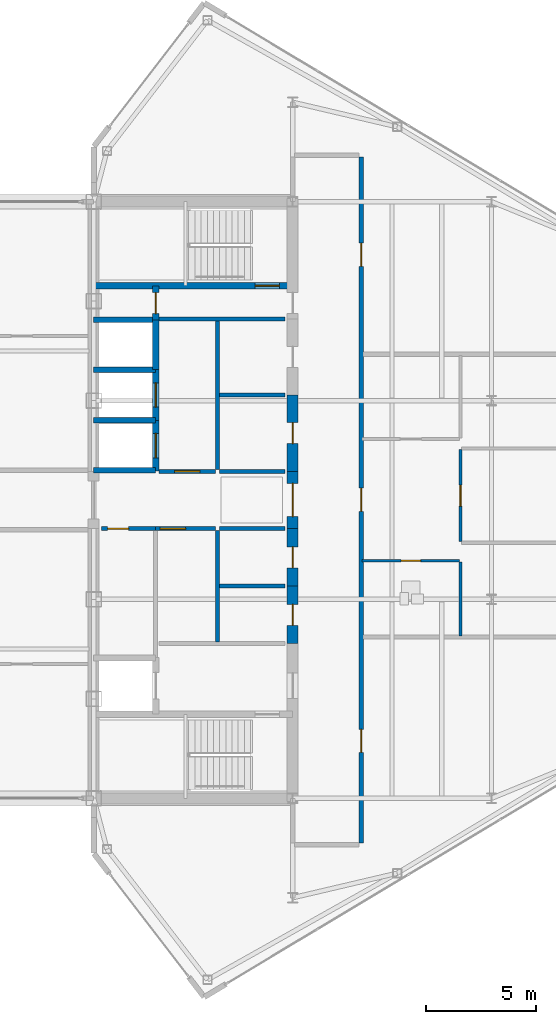
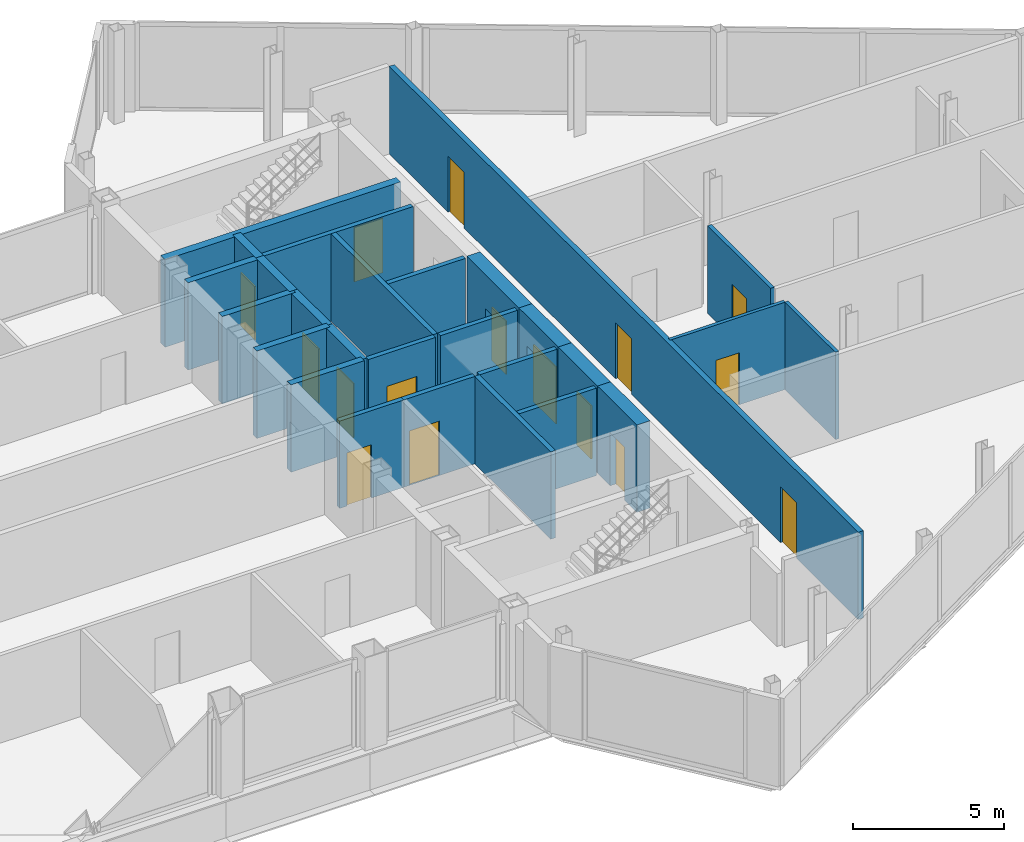
# One storey, part 25 of 29: 27 walls, 16 doors, 16 openings.
"""IFC4 building model written with IfcOpenShell, lengths in metres."""

from ifc_helpers import new_model, si_unit, direction, frame, frame_2d, origin, place, context, subcontext, project, spatial, rectangle, extrude, source, transform, mapped, material, layer, layer_set, type_object, type_shapes, element, fill, save


model = new_model("IFC4")

# Units and contexts
model_context = context("Model", 3, precision=1e-05, world=origin(), true_north=direction((0.0, 1.0)))
body_context = subcontext(model_context, "Body", "Model", "MODEL_VIEW")
ifc_project = project(units=[si_unit("LENGTHUNIT", "METRE"), si_unit("AREAUNIT", "SQUARE_METRE"), si_unit("VOLUMEUNIT", "CUBIC_METRE"), si_unit("PLANEANGLEUNIT", "RADIAN"), si_unit("MASSUNIT", "GRAM", prefix="KILO")], contexts=[model_context])

# Site, building, storey
site_placement = place(None, origin())
site = spatial("IfcSite", under=ifc_project, at=site_placement, CompositionType="ELEMENT")
building_placement = place(site_placement, origin())
building = spatial("IfcBuilding", under=site, at=building_placement, Name="Seokmaru Belvedere", CompositionType="ELEMENT")
storey_placement = place(building_placement, frame((0.0, 0.0, 239.39990234375)))
storey = spatial("IfcBuildingStorey", under=building, at=storey_placement, Name="L63", CompositionType="ELEMENT", Elevation=239.39990234375)

# Wall, opening, door
ifc_material_1 = material(Name="Fire-Rated Gypsum Shaftwall")
ifc_layer_1 = layer(ifc_material_1, 0.14990234375)
ifc_layer_set_1 = layer_set([ifc_layer_1], Name="Fire-Rated Gypsum Shaftwall")
wall_type_1 = type_object("IfcWallType", Name="Apartment Fire-Acoustic Room Partition 150", PredefinedType="PARTITIONING", material=ifc_layer_set_1)
wall_1_placement = place(storey_placement, frame((44.10009765625, -1.883056640625, 0.0), z_axis=(0.0, 0.0, 1.0), x_axis=(0.0, 1.0, 0.0)))
wall_1 = element("IfcWall", 1, at=wall_1_placement, inside=storey, type_object=wall_type_1, Name="L63 Interior Partition 052", PredefinedType="PARTITIONING", context=body_context, shape_type="SweptSolid", body=[
    extrude(rectangle(XDim=4.166015625, YDim=0.14990234375, at=frame_2d((2.0830078125, 0.0))), origin(), (0.0, 0.0, 1.0), 3.530029296875),
])
opening_1_placement = place(wall_1_placement, frame((1.60791015625, 0.0, 0.0)))
opening_1 = element("IfcOpeningElement", 2, at=opening_1_placement, cuts=wall_1, Name="Opening D05", PredefinedType="OPENING", context=body_context, shape_type="SweptSolid", body=[
    extrude(rectangle(XDim=0.949951171875, YDim=2.14990234375, at=frame_2d((0.47509765625, 1.074951171875))), frame((0.0, 0.0849609375, 0.0), z_axis=(0.0, -1.0, 0.0), x_axis=(1.0, 0.0, 0.0)), (0.0, 0.0, 1.0), 0.169921875),
])
ifc_material_2 = material(Name="Engineered White Oak Timber", Category="wood")
door_type_1 = type_object("IfcDoorType", Name="Apartment Interior Fire-Rated Oak Door 950x2150", OperationType="NOTDEFINED", PredefinedType="DOOR", material=ifc_material_2)
shared_shape_1 = source(origin(), body_context, "Body", "SweptSolid", [
    extrude(rectangle(XDim=0.949951171875, YDim=2.14990234375, at=frame_2d((0.47509765625, 1.074951171875))), frame((0.0, 0.02490234375, 0.0), z_axis=(0.0, -1.0, 0.0), x_axis=(1.0, 0.0, 0.0)), (0.0, 0.0, 1.0), 0.050048828125),
])
type_shapes(door_type_1, [shared_shape_1])
door_1_placement = place(opening_1_placement, origin())
door_1 = element("IfcDoor", 3, at=door_1_placement, inside=storey, type_object=door_type_1, Name="L63 Interior Door 016", OperationType="SINGLE_SWING_LEFT", OverallHeight=2.14990234375, OverallWidth=0.949951171875, PredefinedType="DOOR", context=body_context, shape_type="MappedRepresentation", body=[
    mapped(shared_shape_1, transform((0.0, 0.0, 0.0), scale=1.0)),
])
fill(opening_1, door_1)

# Walls
ifc_layer_2 = layer(ifc_material_1, 0.179931640625)
ifc_layer_set_2 = layer_set([ifc_layer_2], Name="Fire-Rated Gypsum Shaftwall")
wall_type_2 = type_object("IfcWallType", Name="Core Service Fire Partition 180", PredefinedType="PARTITIONING", material=ifc_layer_set_2)
wall_2_placement = place(storey_placement, frame((30.449951171875, 8.199951171875, 0.0), z_axis=(0.0, 0.0, 1.0), x_axis=(1.0, 0.0, 0.0)))
element("IfcWall", 4, at=wall_2_placement, inside=storey, type_object=wall_type_2, Name="L63 East Smokeproof Vestibule Partition", PredefinedType="PARTITIONING", context=body_context, shape_type="SweptSolid", body=[
    extrude(rectangle(XDim=5.699951171875, YDim=0.179931640625, at=frame_2d((2.85009765625, 0.0))), origin(), (0.0, 0.0, 1.0), 3.530029296875),
])
wall_3_placement = place(storey_placement, frame((33.10009765625, -6.419921875, 0.0), z_axis=(0.0, 0.0, 1.0), x_axis=(0.0, 1.0, 0.0)))
element("IfcWall", 5, at=wall_3_placement, inside=storey, type_object=wall_type_2, Name="L63 East South Core Service Back Wall", PredefinedType="PARTITIONING", context=body_context, shape_type="SweptSolid", body=[
    extrude(rectangle(XDim=5.0400390625, YDim=0.179931640625, at=frame_2d((2.52001953125, 0.0))), origin(), (0.0, 0.0, 1.0), 3.530029296875),
])
wall_4_placement = place(storey_placement, frame((33.10009765625, 1.3798828125, 0.0), z_axis=(0.0, 0.0, 1.0), x_axis=(0.0, 1.0, 0.0)))
element("IfcWall", 6, at=wall_4_placement, inside=storey, type_object=wall_type_2, Name="L63 East North Core Service Back Wall", PredefinedType="PARTITIONING", context=body_context, shape_type="SweptSolid", body=[
    extrude(rectangle(XDim=6.740234375, YDim=0.179931640625, at=frame_2d((3.3701171875, 0.0))), origin(), (0.0, 0.0, 1.0), 3.530029296875),
])

# Wall, opening, door
wall_5_placement = place(storey_placement, frame((27.85009765625, -1.300048828125, 0.0), z_axis=(0.0, 0.0, 1.0), x_axis=(1.0, 0.0, 0.0)))
wall_5 = element("IfcWall", 7, at=wall_5_placement, inside=storey, type_object=wall_type_2, Name="L63 East South Parcel Vault Foyer Wall", PredefinedType="PARTITIONING", context=body_context, shape_type="SweptSolid", body=[
    extrude(rectangle(XDim=2.449951171875, YDim=0.179931640625, at=frame_2d((1.22509765625, 0.0))), origin(), (0.0, 0.0, 1.0), 3.530029296875),
])
opening_2_placement = place(wall_5_placement, frame((0.27490234375, 0.0, 0.0)))
opening_2 = element("IfcOpeningElement", 8, at=opening_2_placement, cuts=wall_5, Name="Opening D04", PredefinedType="OPENING", context=body_context, shape_type="SweptSolid", body=[
    extrude(rectangle(XDim=0.949951171875, YDim=2.14990234375, at=frame_2d((0.47509765625, 1.074951171875))), frame((0.0, 0.10009765625, 0.0), z_axis=(0.0, -1.0, 0.0), x_axis=(1.0, 0.0, 0.0)), (0.0, 0.0, 1.0), 0.199951171875),
])
ifc_material_3 = material(Name="Fire-Rated Steel Leaf", Category="steel")
door_type_2 = type_object("IfcDoorType", Name="Core Service Room Fire Door 950x2150", OperationType="NOTDEFINED", PredefinedType="DOOR", material=ifc_material_3)
shared_shape_2 = source(origin(), body_context, "Body", "SweptSolid", [
    extrude(rectangle(XDim=0.949951171875, YDim=2.14990234375, at=frame_2d((0.47509765625, 1.074951171875))), frame((0.0, 0.02490234375, 0.0), z_axis=(0.0, -1.0, 0.0), x_axis=(1.0, 0.0, 0.0)), (0.0, 0.0, 1.0), 0.050048828125),
])
type_shapes(door_type_2, [shared_shape_2])
door_2_placement = place(opening_2_placement, origin())
door_2 = element("IfcDoor", 9, at=door_2_placement, inside=storey, type_object=door_type_2, Name="L63 East South Parcel Vault Door", OperationType="SINGLE_SWING_RIGHT", OverallHeight=2.14990234375, OverallWidth=0.949951171875, PredefinedType="DOOR", context=body_context, shape_type="MappedRepresentation", body=[
    mapped(shared_shape_2, transform((0.0, 0.0, 0.0), scale=1.0)),
])
fill(opening_2, door_2)

wall_6_placement = place(storey_placement, frame((30.300048828125, -1.300048828125, 0.0), z_axis=(0.0, 0.0, 1.0), x_axis=(1.0, 0.0, 0.0)))
wall_6 = element("IfcWall", 10, at=wall_6_placement, inside=storey, type_object=wall_type_2, Name="L63 East South Wine Cellar Foyer Wall", PredefinedType="PARTITIONING", context=body_context, shape_type="SweptSolid", body=[
    extrude(rectangle(XDim=2.719970703125, YDim=0.179931640625, at=frame_2d((1.35986328125, 0.0))), origin(), (0.0, 0.0, 1.0), 3.530029296875),
])
opening_3_placement = place(wall_6_placement, frame((0.2099609375, 0.0, 0.0)))
opening_3 = element("IfcOpeningElement", 11, at=opening_3_placement, cuts=wall_6, Name="Opening D02", PredefinedType="OPENING", context=body_context, shape_type="SweptSolid", body=[
    extrude(rectangle(XDim=1.14990234375, YDim=2.199951171875, at=frame_2d((0.574951171875, 1.10009765625))), frame((0.0, 0.10009765625, 0.0), z_axis=(0.0, -1.0, 0.0), x_axis=(1.0, 0.0, 0.0)), (0.0, 0.0, 1.0), 0.199951171875),
])
door_type_3 = type_object("IfcDoorType", Name="Lobby and Vestibule Fire Door 1150x2200", OperationType="NOTDEFINED", PredefinedType="DOOR", material=ifc_material_3)
shared_shape_3 = source(origin(), body_context, "Body", "SweptSolid", [
    extrude(rectangle(XDim=1.14990234375, YDim=2.199951171875, at=frame_2d((0.574951171875, 1.10009765625))), frame((0.0, 0.02490234375, 0.0), z_axis=(0.0, -1.0, 0.0), x_axis=(1.0, 0.0, 0.0)), (0.0, 0.0, 1.0), 0.050048828125),
])
type_shapes(door_type_3, [shared_shape_3])
door_3_placement = place(opening_3_placement, origin())
door_3 = element("IfcDoor", 12, at=door_3_placement, inside=storey, type_object=door_type_3, Name="L63 East South Core Foyer Door", OperationType="SINGLE_SWING_RIGHT", OverallHeight=2.199951171875, OverallWidth=1.14990234375, PredefinedType="DOOR", context=body_context, shape_type="MappedRepresentation", body=[
    mapped(shared_shape_3, transform((0.0, 0.0, 0.0), scale=1.0)),
])
fill(opening_3, door_3)

wall_7_placement = place(storey_placement, frame((30.449951171875, 1.300048828125, 0.0), z_axis=(0.0, 0.0, 1.0), x_axis=(1.0, 0.0, 0.0)))
wall_7 = element("IfcWall", 13, at=wall_7_placement, inside=storey, type_object=wall_type_2, Name="L63 East North Lift Lobby Foyer Wall", PredefinedType="PARTITIONING", context=body_context, shape_type="SweptSolid", body=[
    extrude(rectangle(XDim=2.570068359375, YDim=0.179931640625, at=frame_2d((1.28515625, 0.0))), origin(), (0.0, 0.0, 1.0), 3.530029296875),
])
opening_4_placement = place(wall_7_placement, frame((0.7099609375, 0.0, 0.0)))
opening_4 = element("IfcOpeningElement", 14, at=opening_4_placement, cuts=wall_7, Name="Opening D02", PredefinedType="OPENING", context=body_context, shape_type="SweptSolid", body=[
    extrude(rectangle(XDim=1.14990234375, YDim=2.199951171875, at=frame_2d((0.574951171875, 1.10009765625))), frame((0.0, 0.10009765625, 0.0), z_axis=(0.0, -1.0, 0.0), x_axis=(1.0, 0.0, 0.0)), (0.0, 0.0, 1.0), 0.199951171875),
])
door_4_placement = place(opening_4_placement, origin())
door_4 = element("IfcDoor", 15, at=door_4_placement, inside=storey, type_object=door_type_3, Name="L63 East North Lift Lobby Door", OperationType="SINGLE_SWING_LEFT", OverallHeight=2.199951171875, OverallWidth=1.14990234375, PredefinedType="DOOR", context=body_context, shape_type="MappedRepresentation", body=[
    mapped(shared_shape_3, transform((0.0, 0.0, 0.0), scale=1.0)),
])
fill(opening_4, door_4)

# Walls
for number, where, z_axis, x_axis, name in (
    (16, (33.199951171875, -1.300048828125, 0.0), (0.0, 0.0, 1.0), (1.0, 0.0, 0.0), "L63 East Foyer Side Wall S"),
    (17, (33.199951171875, 1.300048828125, 0.0), (0.0, 0.0, 1.0), (1.0, 0.0, 0.0), "L63 East Foyer Side Wall N"),
    (18, (33.199951171875, -3.89990234375, 0.0), (0.0, 0.0, 1.0), (1.0, 0.0, 0.0), "L63 East Core Service Partition 1"),
    (19, (33.199951171875, 4.75, 0.0), (0.0, 0.0, 1.0), (1.0, 0.0, 0.0), "L63 East Core Service Partition 2"),
):
    element("IfcWall", number, at=place(storey_placement, frame(where, z_axis=z_axis, x_axis=x_axis)), inside=storey, type_object=wall_type_2, Name=name, PredefinedType="PARTITIONING", context=body_context, shape_type="SweptSolid", body=[
        extrude(rectangle(XDim=2.949951171875, YDim=0.179931640625, at=frame_2d((1.47509765625, 0.0))), origin(), (0.0, 0.0, 1.0), 3.530029296875),
    ])
ifc_material_4 = material(Name="Concrete C50 (50 MPa)", Category="concrete")
ifc_layer_3 = layer(ifc_material_4, 0.25)
ifc_layer_set_3 = layer_set([ifc_layer_3], Name="Concrete C50 (50 MPa)")
wall_type_3 = type_object("IfcWallType", Name="Hoistway Transverse Concrete Divider Wall 250", PredefinedType="SHEAR", material=ifc_layer_set_3)
for number, where, z_axis, x_axis, name in (
    (20, (27.5, 1.35009765625, 0.0), (0.0, 0.0, 1.0), (1.0, 0.0, 0.0), "L63 East Hoistway Divider Core Wall 2"),
    (21, (27.5, 3.60009765625, 0.0), (0.0, 0.0, 1.0), (1.0, 0.0, 0.0), "L63 East Hoistway Divider Core Wall 3"),
    (22, (27.5, 5.89990234375, 0.0), (0.0, 0.0, 1.0), (1.0, 0.0, 0.0), "L63 East Hoistway Divider Core Wall 4"),
    (23, (27.5, 8.14990234375, 0.0), (0.0, 0.0, 1.0), (1.0, 0.0, 0.0), "L63 East Hoistway Divider Core Wall 5"),
):
    element("IfcWall", number, at=place(storey_placement, frame(where, z_axis=z_axis, x_axis=x_axis)), inside=storey, type_object=wall_type_3, Name=name, PredefinedType="SHEAR", context=body_context, shape_type="SweptSolid", body=[
        extrude(rectangle(XDim=2.800048828125, YDim=0.25, at=frame_2d((1.39990234375, 0.0))), origin(), (0.0, 0.0, 1.0), 3.530029296875),
    ])

# Wall, openings, doors
ifc_layer_4 = layer(ifc_material_1, 0.199951171875)
ifc_layer_set_4 = layer_set([ifc_layer_4], Name="Fire-Rated Gypsum Shaftwall")
wall_type_4 = type_object("IfcWallType", Name="Inter-Tenancy Fire Compartment Partition 200", PredefinedType="PARTITIONING", material=ifc_layer_set_4)
wall_8_placement = place(storey_placement, frame((39.60009765625, -15.514892578125, 0.0), z_axis=(0.0, 0.0, 1.0), x_axis=(0.0, 1.0, 0.0)))
wall_8 = element("IfcWall", 24, at=wall_8_placement, inside=storey, type_object=wall_type_4, Name="L63 Interior Partition 050", PredefinedType="PARTITIONING", context=body_context, shape_type="SweptSolid", body=[
    extrude(rectangle(XDim=31.02978515625, YDim=0.199951171875, at=frame_2d((15.514892578125, 0.0))), origin(), (0.0, 0.0, 1.0), 3.530029296875),
])
opening_5_placement = place(wall_8_placement, frame((4.090087890625, 0.0, 0.0)))
opening_5 = element("IfcOpeningElement", 25, at=opening_5_placement, cuts=wall_8, Name="Opening D03", PredefinedType="OPENING", context=body_context, shape_type="SweptSolid", body=[
    extrude(rectangle(XDim=1.050048828125, YDim=2.25, at=frame_2d((0.52490234375, 1.125))), frame((0.0, 0.10986328125, 0.0), z_axis=(0.0, -1.0, 0.0), x_axis=(1.0, 0.0, 0.0)), (0.0, 0.0, 1.0), 0.219970703125),
])
opening_6_placement = place(wall_8_placement, frame((14.998046875, 0.0, 0.0)))
opening_6 = element("IfcOpeningElement", 26, at=opening_6_placement, cuts=wall_8, Name="Opening D03", PredefinedType="OPENING", context=body_context, shape_type="SweptSolid", body=[
    extrude(rectangle(XDim=1.050048828125, YDim=2.25, at=frame_2d((0.52490234375, 1.125))), frame((0.0, 0.10986328125, 0.0), z_axis=(0.0, -1.0, 0.0), x_axis=(1.0, 0.0, 0.0)), (0.0, 0.0, 1.0), 0.219970703125),
])
opening_7_placement = place(wall_8_placement, frame((26.090087890625, 0.0, 0.0)))
opening_7 = element("IfcOpeningElement", 27, at=opening_7_placement, cuts=wall_8, Name="Opening D03", PredefinedType="OPENING", context=body_context, shape_type="SweptSolid", body=[
    extrude(rectangle(XDim=1.050048828125, YDim=2.25, at=frame_2d((0.52490234375, 1.125))), frame((0.0, 0.10986328125, 0.0), z_axis=(0.0, -1.0, 0.0), x_axis=(1.0, 0.0, 0.0)), (0.0, 0.0, 1.0), 0.219970703125),
])
door_type_4 = type_object("IfcDoorType", Name="Apartment Entrance Fire Door 1050x2250", OperationType="NOTDEFINED", PredefinedType="DOOR", material=ifc_material_3)
shared_shape_4 = source(origin(), body_context, "Body", "SweptSolid", [
    extrude(rectangle(XDim=1.050048828125, YDim=2.25, at=frame_2d((0.52490234375, 1.125))), frame((0.0, 0.02490234375, 0.0), z_axis=(0.0, -1.0, 0.0), x_axis=(1.0, 0.0, 0.0)), (0.0, 0.0, 1.0), 0.050048828125),
])
type_shapes(door_type_4, [shared_shape_4])
door_5_placement = place(opening_5_placement, origin())
door_5 = element("IfcDoor", 28, at=door_5_placement, inside=storey, type_object=door_type_4, Name="L63 Interior Door 012", OperationType="SINGLE_SWING_LEFT", OverallHeight=2.25, OverallWidth=1.050048828125, PredefinedType="DOOR", context=body_context, shape_type="MappedRepresentation", body=[
    mapped(shared_shape_4, transform((0.0, 0.0, 0.0), scale=1.0)),
])
fill(opening_5, door_5)
door_6_placement = place(opening_6_placement, origin())
door_6 = element("IfcDoor", 29, at=door_6_placement, inside=storey, type_object=door_type_4, Name="L63 Interior Door 013", OperationType="SINGLE_SWING_RIGHT", OverallHeight=2.25, OverallWidth=1.050048828125, PredefinedType="DOOR", context=body_context, shape_type="MappedRepresentation", body=[
    mapped(shared_shape_4, transform((0.0, 0.0, 0.0), scale=1.0)),
])
fill(opening_6, door_6)
door_7_placement = place(opening_7_placement, origin())
door_7 = element("IfcDoor", 30, at=door_7_placement, inside=storey, type_object=door_type_4, Name="L63 Interior Door 022", OperationType="SINGLE_SWING_LEFT", OverallHeight=2.25, OverallWidth=1.050048828125, PredefinedType="DOOR", context=body_context, shape_type="MappedRepresentation", body=[
    mapped(shared_shape_4, transform((0.0, 0.0, 0.0), scale=1.0)),
])
fill(opening_7, door_7)

# Wall, opening, door
ifc_layer_5 = layer(ifc_material_4, 0.300048828125)
ifc_layer_set_5 = layer_set([ifc_layer_5], Name="Concrete C50 (50 MPa)")
wall_type_5 = type_object("IfcWallType", Name="Internal Core Stair and Hoistway Wall 300", PredefinedType="SHEAR", material=ifc_layer_set_5)
wall_9_placement = place(storey_placement, frame((27.5, 9.699951171875, 0.0), z_axis=(0.0, 0.0, 1.0), x_axis=(1.0, 0.0, 0.0)))
wall_9 = element("IfcWall", 31, at=wall_9_placement, inside=storey, type_object=wall_type_5, Name="L63 East Stair ST-2 Enclosure Wall", PredefinedType="SHEAR", context=body_context, shape_type="SweptSolid", body=[
    extrude(rectangle(XDim=9.0, YDim=0.300048828125, at=frame_2d((4.5, 0.0))), origin(), (0.0, 0.0, 1.0), 3.530029296875),
])
opening_8_placement = place(wall_9_placement, frame((7.300048828125, 0.0, 0.0)))
opening_8 = element("IfcOpeningElement", 32, at=opening_8_placement, cuts=wall_9, Name="Opening D01", PredefinedType="OPENING", context=body_context, shape_type="SweptSolid", body=[
    extrude(rectangle(XDim=1.10009765625, YDim=2.199951171875, at=frame_2d((0.550048828125, 1.10009765625))), frame((0.0, 0.16015625, 0.0), z_axis=(0.0, -1.0, 0.0), x_axis=(1.0, 0.0, 0.0)), (0.0, 0.0, 1.0), 0.320068359375),
])
door_type_5 = type_object("IfcDoorType", Name="Special Escape Stair Smokeproof Fire Door 1100x2200", OperationType="NOTDEFINED", PredefinedType="DOOR", material=ifc_material_3)
shared_shape_5 = source(origin(), body_context, "Body", "SweptSolid", [
    extrude(rectangle(XDim=1.10009765625, YDim=2.199951171875, at=frame_2d((0.550048828125, 1.10009765625))), frame((0.0, 0.02490234375, 0.0), z_axis=(0.0, -1.0, 0.0), x_axis=(1.0, 0.0, 0.0)), (0.0, 0.0, 1.0), 0.050048828125),
])
type_shapes(door_type_5, [shared_shape_5])
door_8_placement = place(opening_8_placement, origin())
door_8 = element("IfcDoor", 33, at=door_8_placement, inside=storey, type_object=door_type_5, Name="L63 East Special Escape Stair ST-2 Door", OperationType="SINGLE_SWING_LEFT", OverallHeight=2.199951171875, OverallWidth=1.10009765625, PredefinedType="DOOR", context=body_context, shape_type="MappedRepresentation", body=[
    mapped(shared_shape_5, transform((0.0, 0.0, 0.0), scale=1.0)),
])
fill(opening_8, door_8)

wall_10_placement = place(storey_placement, frame((30.300048828125, 1.320068359375, 0.0), z_axis=(0.0, 0.0, 1.0), x_axis=(0.0, 1.0, 0.0)))
wall_10 = element("IfcWall", 34, at=wall_10_placement, inside=storey, type_object=wall_type_5, Name="L63 East North Hoistway Wall PH1", PredefinedType="SHEAR", context=body_context, shape_type="SweptSolid", body=[
    extrude(rectangle(XDim=2.280029296875, YDim=0.300048828125, at=frame_2d((1.14013671875, 0.0))), origin(), (0.0, 0.0, 1.0), 3.530029296875),
])
opening_9_placement = place(wall_10_placement, frame((0.590087890625, 0.0, 0.0)))
opening_9 = element("IfcOpeningElement", 35, at=opening_9_placement, cuts=wall_10, Name="Opening LD1", PredefinedType="OPENING", context=body_context, shape_type="SweptSolid", body=[
    extrude(rectangle(XDim=1.10009765625, YDim=2.199951171875, at=frame_2d((0.550048828125, 1.10009765625))), frame((0.0, 0.16015625, 0.0), z_axis=(0.0, -1.0, 0.0), x_axis=(1.0, 0.0, 0.0)), (0.0, 0.0, 1.0), 0.320068359375),
])
ifc_material_5 = material(Name="Stainless Steel 316", Category="steel")
door_type_6 = type_object("IfcDoorType", Name="Passenger Lift Sliding Landing Door 1100x2200", OperationType="DOUBLE_DOOR_SLIDING", PredefinedType="DOOR", material=ifc_material_5)
shared_shape_6 = source(origin(), body_context, "Body", "SweptSolid", [
    extrude(rectangle(XDim=1.10009765625, YDim=2.199951171875, at=frame_2d((0.550048828125, 1.10009765625))), frame((0.0, 0.02490234375, 0.0), z_axis=(0.0, -1.0, 0.0), x_axis=(1.0, 0.0, 0.0)), (0.0, 0.0, 1.0), 0.050048828125),
])
type_shapes(door_type_6, [shared_shape_6])
door_9_placement = place(opening_9_placement, origin())
door_9 = element("IfcDoor", 36, at=door_9_placement, inside=storey, type_object=door_type_6, Name="L63 East High-Rise Lift PH-1 Landing Door", OperationType="DOUBLE_DOOR_SLIDING", OverallHeight=2.199951171875, OverallWidth=1.10009765625, PredefinedType="DOOR", context=body_context, shape_type="MappedRepresentation", body=[
    mapped(shared_shape_6, transform((0.0, 0.0, 0.0), scale=1.0)),
])
fill(opening_9, door_9)

wall_11_placement = place(storey_placement, frame((30.300048828125, 3.60009765625, 0.0), z_axis=(0.0, 0.0, 1.0), x_axis=(0.0, 1.0, 0.0)))
wall_11 = element("IfcWall", 37, at=wall_11_placement, inside=storey, type_object=wall_type_5, Name="L63 East North Hoistway Wall PH2", PredefinedType="SHEAR", context=body_context, shape_type="SweptSolid", body=[
    extrude(rectangle(XDim=2.2998046875, YDim=0.300048828125, at=frame_2d((1.14990234375, 0.0))), origin(), (0.0, 0.0, 1.0), 3.530029296875),
])
opening_10_placement = place(wall_11_placement, frame((0.60009765625, 0.0, 0.0)))
opening_10 = element("IfcOpeningElement", 38, at=opening_10_placement, cuts=wall_11, Name="Opening LD1", PredefinedType="OPENING", context=body_context, shape_type="SweptSolid", body=[
    extrude(rectangle(XDim=1.10009765625, YDim=2.199951171875, at=frame_2d((0.550048828125, 1.10009765625))), frame((0.0, 0.16015625, 0.0), z_axis=(0.0, -1.0, 0.0), x_axis=(1.0, 0.0, 0.0)), (0.0, 0.0, 1.0), 0.320068359375),
])
door_10_placement = place(opening_10_placement, origin())
door_10 = element("IfcDoor", 39, at=door_10_placement, inside=storey, type_object=door_type_6, Name="L63 East High-Rise Lift PH-2 Landing Door", OperationType="DOUBLE_DOOR_SLIDING", OverallHeight=2.199951171875, OverallWidth=1.10009765625, PredefinedType="DOOR", context=body_context, shape_type="MappedRepresentation", body=[
    mapped(shared_shape_6, transform((0.0, 0.0, 0.0), scale=1.0)),
])
fill(opening_10, door_10)

# Wall
wall_12_placement = place(storey_placement, frame((30.300048828125, 5.89990234375, 0.0), z_axis=(0.0, 0.0, 1.0), x_axis=(0.0, 1.0, 0.0)))
element("IfcWall", 40, at=wall_12_placement, inside=storey, type_object=wall_type_5, Name="L63 East North Hoistway Wall OBS", PredefinedType="SHEAR", context=body_context, shape_type="SweptSolid", body=[
    extrude(rectangle(XDim=2.25, YDim=0.300048828125, at=frame_2d((1.125, 0.0))), origin(), (0.0, 0.0, 1.0), 3.530029296875),
])

# Wall, opening, door
wall_13_placement = place(storey_placement, frame((30.300048828125, 8.14990234375, 0.0), z_axis=(0.0, 0.0, 1.0), x_axis=(0.0, 1.0, 0.0)))
wall_13 = element("IfcWall", 41, at=wall_13_placement, inside=storey, type_object=wall_type_5, Name="L63 East Electrical Riser Front Wall", PredefinedType="SHEAR", context=body_context, shape_type="SweptSolid", body=[
    extrude(rectangle(XDim=1.530029296875, YDim=0.300048828125, at=frame_2d((0.76513671875, 0.0))), origin(), (0.0, 0.0, 1.0), 3.530029296875),
])
opening_11_placement = place(wall_13_placement, frame((0.284912109375, 0.0, 0.0)))
opening_11 = element("IfcOpeningElement", 42, at=opening_11_placement, cuts=wall_13, Name="Opening D04", PredefinedType="OPENING", context=body_context, shape_type="SweptSolid", body=[
    extrude(rectangle(XDim=0.949951171875, YDim=2.14990234375, at=frame_2d((0.47509765625, 1.074951171875))), frame((0.0, 0.16015625, 0.0), z_axis=(0.0, -1.0, 0.0), x_axis=(1.0, 0.0, 0.0)), (0.0, 0.0, 1.0), 0.320068359375),
])
door_11_placement = place(opening_11_placement, origin())
door_11 = element("IfcDoor", 43, at=door_11_placement, inside=storey, type_object=door_type_2, Name="L63 East Electrical Riser Access Door", OperationType="SINGLE_SWING_RIGHT", OverallHeight=2.14990234375, OverallWidth=0.949951171875, PredefinedType="DOOR", context=body_context, shape_type="MappedRepresentation", body=[
    mapped(shared_shape_2, transform((0.0, 0.0, 0.0), scale=1.0)),
])
fill(opening_11, door_11)

ifc_layer_6 = layer(ifc_material_1, 0.1298828125)
ifc_layer_set_6 = layer_set([ifc_layer_6], Name="Fire-Rated Gypsum Shaftwall")
wall_type_6 = type_object("IfcWallType", Name="Moisture-Resistant Fire-Rated Bathroom Partition 130", PredefinedType="PARTITIONING", material=ifc_layer_set_6)
wall_14_placement = place(storey_placement, frame((39.64990234375, -2.75, 0.0), z_axis=(0.0, 0.0, 1.0), x_axis=(1.0, 0.0, 0.0)))
wall_14 = element("IfcWall", 44, at=wall_14_placement, inside=storey, type_object=wall_type_6, Name="L63 Interior Partition 011", PredefinedType="PARTITIONING", context=body_context, shape_type="SweptSolid", body=[
    extrude(rectangle(XDim=4.400146484375, YDim=0.1298828125, at=frame_2d((2.2001953125, 0.0))), origin(), (0.0, 0.0, 1.0), 3.530029296875),
])
opening_12_placement = place(wall_14_placement, frame((1.760009765625, 0.0, 0.0)))
opening_12 = element("IfcOpeningElement", 45, at=opening_12_placement, cuts=wall_14, Name="Opening D06", PredefinedType="OPENING", context=body_context, shape_type="SweptSolid", body=[
    extrude(rectangle(XDim=0.8798828125, YDim=2.10009765625, at=frame_2d((0.43994140625, 1.050048828125))), frame((0.0, 0.074951171875, 0.0), z_axis=(0.0, -1.0, 0.0), x_axis=(1.0, 0.0, 0.0)), (0.0, 0.0, 1.0), 0.14990234375),
])
door_type_7 = type_object("IfcDoorType", Name="Bathroom and Restroom Fire-Rated Door 880x2100", OperationType="NOTDEFINED", PredefinedType="DOOR", material=ifc_material_2)
shared_shape_7 = source(origin(), body_context, "Body", "SweptSolid", [
    extrude(rectangle(XDim=0.8798828125, YDim=2.10009765625, at=frame_2d((0.43994140625, 1.050048828125))), frame((0.0, 0.02490234375, 0.0), z_axis=(0.0, -1.0, 0.0), x_axis=(1.0, 0.0, 0.0)), (0.0, 0.0, 1.0), 0.050048828125),
])
type_shapes(door_type_7, [shared_shape_7])
door_12_placement = place(opening_12_placement, origin())
door_12 = element("IfcDoor", 46, at=door_12_placement, inside=storey, type_object=door_type_7, Name="L63 Interior Door 014", OperationType="SINGLE_SWING_RIGHT", OverallHeight=2.10009765625, OverallWidth=0.8798828125, PredefinedType="DOOR", context=body_context, shape_type="MappedRepresentation", body=[
    mapped(shared_shape_7, transform((0.0, 0.0, 0.0), scale=1.0)),
])
fill(opening_12, door_12)

# Wall
wall_15_placement = place(storey_placement, frame((44.10009765625, -6.14990234375, 0.0), z_axis=(0.0, 0.0, 1.0), x_axis=(0.0, 1.0, 0.0)))
element("IfcWall", 47, at=wall_15_placement, inside=storey, type_object=wall_type_6, Name="L63 Interior Partition 051", PredefinedType="PARTITIONING", context=body_context, shape_type="SweptSolid", body=[
    extrude(rectangle(XDim=3.35400390625, YDim=0.1298828125, at=frame_2d((1.677001953125, 0.0))), origin(), (0.0, 0.0, 1.0), 3.530029296875),
])

# Wall, opening, door
ifc_layer_7 = layer(ifc_material_4, 0.5)
ifc_layer_set_7 = layer_set([ifc_layer_7], Name="Concrete C50 (50 MPa)")
wall_type_7 = type_object("IfcWallType", Name="Upper Tower Reinforced Concrete Core Wall 500", PredefinedType="SHEAR", material=ifc_layer_set_7)
wall_16_placement = place(storey_placement, frame((36.5, -1.300048828125, 0.0), z_axis=(0.0, 0.0, 1.0), x_axis=(0.0, 1.0, 0.0)))
wall_16 = element("IfcWall", 48, at=wall_16_placement, inside=storey, type_object=wall_type_7, Name="L63 East West Core Wall FOY", PredefinedType="SHEAR", context=body_context, shape_type="SweptSolid", body=[
    extrude(rectangle(XDim=2.60009765625, YDim=0.5, at=frame_2d((1.300048828125, 0.0))), origin(), (0.0, 0.0, 1.0), 3.530029296875),
])
opening_13_placement = place(wall_16_placement, frame((0.550048828125, 0.0, 0.0)))
opening_13 = element("IfcOpeningElement", 49, at=opening_13_placement, cuts=wall_16, Name="Opening D08", PredefinedType="OPENING", context=body_context, shape_type="SweptSolid", body=[
    extrude(rectangle(XDim=1.5, YDim=2.300048828125, at=frame_2d((0.75, 1.14990234375))), frame((0.0, 0.260009765625, 0.0), z_axis=(0.0, -1.0, 0.0), x_axis=(1.0, 0.0, 0.0)), (0.0, 0.0, 1.0), 0.52001953125),
])
door_type_8 = type_object("IfcDoorType", Name="Cross-Corridor Compartment Double Fire Door 1500x2300", OperationType="DOUBLE_SWING_LEFT", PredefinedType="DOOR", material=ifc_material_3)
shared_shape_8 = source(origin(), body_context, "Body", "SweptSolid", [
    extrude(rectangle(XDim=1.5, YDim=2.300048828125, at=frame_2d((0.75, 1.14990234375))), frame((0.0, 0.02490234375, 0.0), z_axis=(0.0, -1.0, 0.0), x_axis=(1.0, 0.0, 0.0)), (0.0, 0.0, 1.0), 0.050048828125),
])
type_shapes(door_type_8, [shared_shape_8])
door_13_placement = place(opening_13_placement, origin())
door_13 = element("IfcDoor", 50, at=door_13_placement, inside=storey, type_object=door_type_8, Name="L63 East Core Foyer Compartment Door", OperationType="DOUBLE_SWING_LEFT", OverallHeight=2.300048828125, OverallWidth=1.5, PredefinedType="DOOR", context=body_context, shape_type="MappedRepresentation", body=[
    mapped(shared_shape_8, transform((0.0, 0.0, 0.0), scale=1.0)),
])
fill(opening_13, door_13)

wall_17_placement = place(storey_placement, frame((36.5, -6.5, 0.0), z_axis=(0.0, 0.0, 1.0), x_axis=(0.0, 1.0, 0.0)))
wall_17 = element("IfcWall", 51, at=wall_17_placement, inside=storey, type_object=wall_type_7, Name="L63 East West Core Wall CS1", PredefinedType="SHEAR", context=body_context, shape_type="SweptSolid", body=[
    extrude(rectangle(XDim=2.60009765625, YDim=0.5, at=frame_2d((1.300048828125, 0.0))), origin(), (0.0, 0.0, 1.0), 3.530029296875),
])
opening_14_placement = place(wall_17_placement, frame((0.824951171875, 0.0, 0.0)))
opening_14 = element("IfcOpeningElement", 52, at=opening_14_placement, cuts=wall_17, Name="Opening D04", PredefinedType="OPENING", context=body_context, shape_type="SweptSolid", body=[
    extrude(rectangle(XDim=0.949951171875, YDim=2.14990234375, at=frame_2d((0.47509765625, 1.074951171875))), frame((0.0, 0.260009765625, 0.0), z_axis=(0.0, -1.0, 0.0), x_axis=(1.0, 0.0, 0.0)), (0.0, 0.0, 1.0), 0.52001953125),
])
door_14_placement = place(opening_14_placement, origin())
door_14 = element("IfcDoor", 53, at=door_14_placement, inside=storey, type_object=door_type_2, Name="L63 East Core Service Room Door 1", OperationType="SINGLE_SWING_RIGHT", OverallHeight=2.14990234375, OverallWidth=0.949951171875, PredefinedType="DOOR", context=body_context, shape_type="MappedRepresentation", body=[
    mapped(shared_shape_2, transform((0.0, 0.0, 0.0), scale=1.0)),
])
fill(opening_14, door_14)

wall_18_placement = place(storey_placement, frame((36.5, -3.89990234375, 0.0), z_axis=(0.0, 0.0, 1.0), x_axis=(0.0, 1.0, 0.0)))
wall_18 = element("IfcWall", 54, at=wall_18_placement, inside=storey, type_object=wall_type_7, Name="L63 East West Core Wall CS2", PredefinedType="SHEAR", context=body_context, shape_type="SweptSolid", body=[
    extrude(rectangle(XDim=2.599853515625, YDim=0.5, at=frame_2d((1.2998046875, 0.0))), origin(), (0.0, 0.0, 1.0), 3.530029296875),
])
opening_15_placement = place(wall_18_placement, frame((0.824951171875, 0.0, 0.0)))
opening_15 = element("IfcOpeningElement", 55, at=opening_15_placement, cuts=wall_18, Name="Opening D04", PredefinedType="OPENING", context=body_context, shape_type="SweptSolid", body=[
    extrude(rectangle(XDim=0.949951171875, YDim=2.14990234375, at=frame_2d((0.47509765625, 1.074951171875))), frame((0.0, 0.260009765625, 0.0), z_axis=(0.0, -1.0, 0.0), x_axis=(1.0, 0.0, 0.0)), (0.0, 0.0, 1.0), 0.52001953125),
])
door_15_placement = place(opening_15_placement, origin())
door_15 = element("IfcDoor", 56, at=door_15_placement, inside=storey, type_object=door_type_2, Name="L63 East Core Service Room Door 2", OperationType="SINGLE_SWING_LEFT", OverallHeight=2.14990234375, OverallWidth=0.949951171875, PredefinedType="DOOR", context=body_context, shape_type="MappedRepresentation", body=[
    mapped(shared_shape_2, transform((0.0, 0.0, 0.0), scale=1.0)),
])
fill(opening_15, door_15)

wall_19_placement = place(storey_placement, frame((36.5, 1.300048828125, 0.0), z_axis=(0.0, 0.0, 1.0), x_axis=(0.0, 1.0, 0.0)))
wall_19 = element("IfcWall", 57, at=wall_19_placement, inside=storey, type_object=wall_type_7, Name="L63 East West Core Wall CS3", PredefinedType="SHEAR", context=body_context, shape_type="SweptSolid", body=[
    extrude(rectangle(XDim=3.449951171875, YDim=0.5, at=frame_2d((1.72509765625, 0.0))), origin(), (0.0, 0.0, 1.0), 3.530029296875),
])
opening_16_placement = place(wall_19_placement, frame((1.25, 0.0, 0.0)))
opening_16 = element("IfcOpeningElement", 58, at=opening_16_placement, cuts=wall_19, Name="Opening D04", PredefinedType="OPENING", context=body_context, shape_type="SweptSolid", body=[
    extrude(rectangle(XDim=0.949951171875, YDim=2.14990234375, at=frame_2d((0.47509765625, 1.074951171875))), frame((0.0, 0.260009765625, 0.0), z_axis=(0.0, -1.0, 0.0), x_axis=(1.0, 0.0, 0.0)), (0.0, 0.0, 1.0), 0.52001953125),
])
door_16_placement = place(opening_16_placement, origin())
door_16 = element("IfcDoor", 59, at=door_16_placement, inside=storey, type_object=door_type_2, Name="L63 East Core Service Room Door 3", OperationType="SINGLE_SWING_RIGHT", OverallHeight=2.14990234375, OverallWidth=0.949951171875, PredefinedType="DOOR", context=body_context, shape_type="MappedRepresentation", body=[
    mapped(shared_shape_2, transform((0.0, 0.0, 0.0), scale=1.0)),
])
fill(opening_16, door_16)

save(model, "model.ifc")
